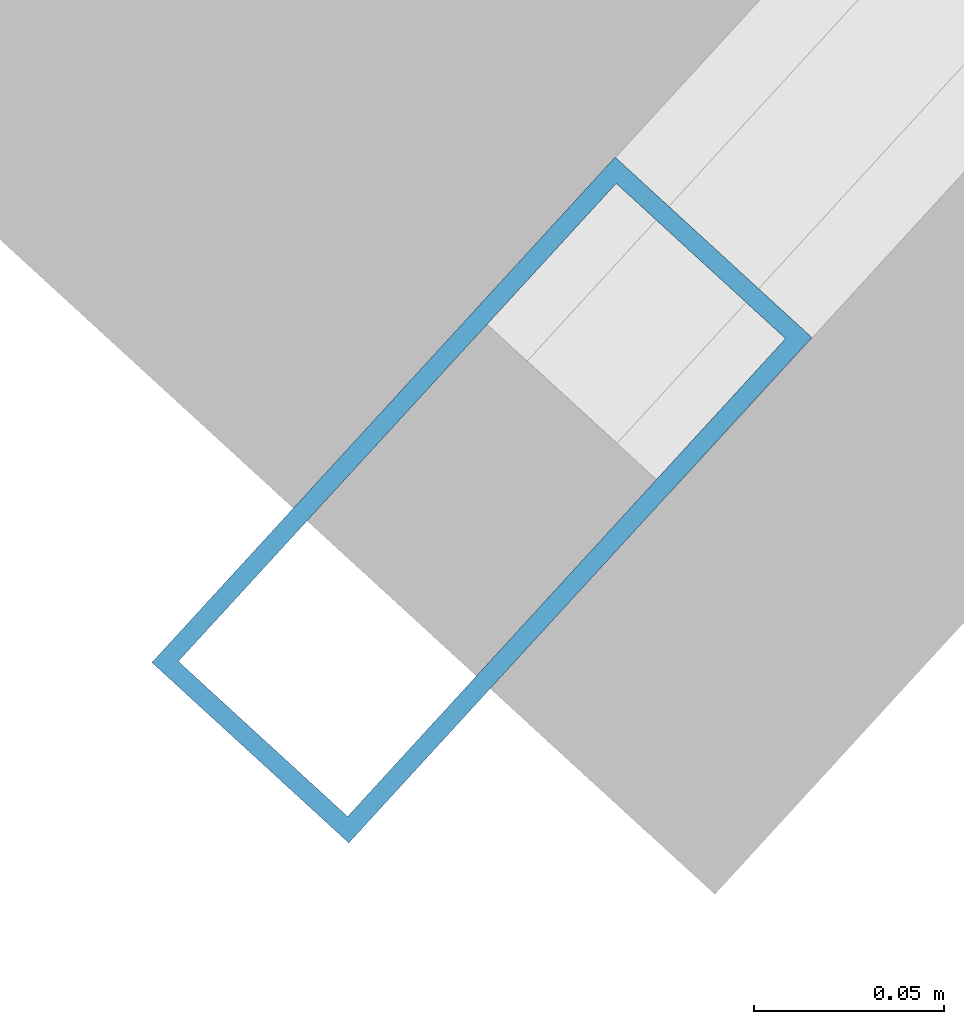
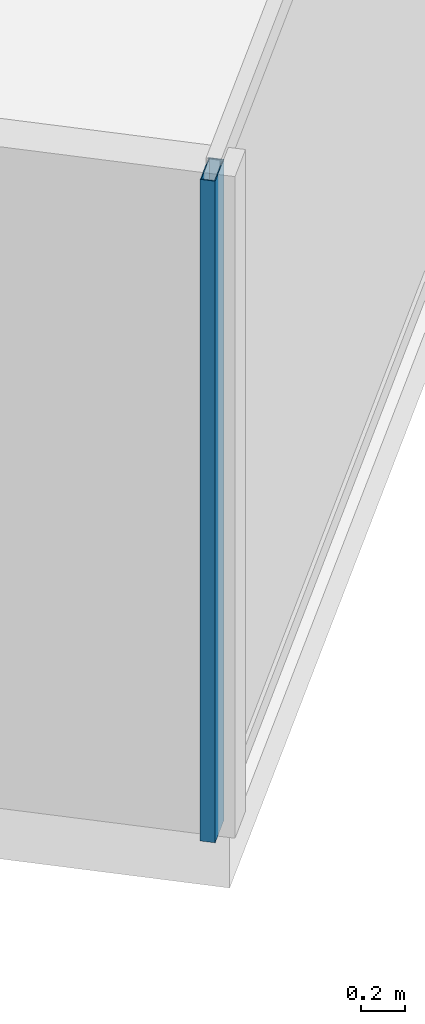
# One storey, part 4 of 26: 1 member, 1 element without a shape of its own.
"""IFC4 building model written with IfcOpenShell, lengths in metres."""

from ifc_helpers import new_model, si_unit, direction, frame, origin, origin_2d, place, context, subcontext, project, spatial, hollow_rectangle, extrude, source, transform, mapped, material, material_profile, profile_set, type_object, type_shapes, element, aggregate, save


model = new_model("IFC4")

# Units and contexts
model_context = context("Model", 3, precision=1e-05, world=origin(), true_north=direction((0.0, 1.0)))
body_context = subcontext(model_context, "Body", "Model", "MODEL_VIEW")
ifc_project = project(units=[si_unit("LENGTHUNIT", "METRE"), si_unit("AREAUNIT", "SQUARE_METRE"), si_unit("VOLUMEUNIT", "CUBIC_METRE"), si_unit("PLANEANGLEUNIT", "RADIAN"), si_unit("MASSUNIT", "GRAM", prefix="KILO")], contexts=[model_context])

# Site, building, storey
site_placement = place(None, origin())
site = spatial("IfcSite", under=ifc_project, at=site_placement, CompositionType="ELEMENT")
building_placement = place(site_placement, origin())
building = spatial("IfcBuilding", under=site, at=building_placement, Name="Krantzveldt Concourse Tower", CompositionType="ELEMENT")
storey_placement = place(building_placement, frame((0.0, 0.0, 219.14990234375)))
storey = spatial("IfcBuildingStorey", under=building, at=storey_placement, Name="L53", CompositionType="ELEMENT", Elevation=219.14990234375)

# Curtain wall, member
ifc_material = material(Name="Anodised aluminium 6063-T6", Category="aluminium")
curtain_wall_type = type_object("IfcCurtainWallType", Name="CW3", PredefinedType="USERDEFINED", material=ifc_material)
curtain_wall_placement = place(storey_placement, origin())
curtain_wall = element("IfcCurtainWall", 1, at=curtain_wall_placement, inside=storey, type_object=curtain_wall_type, Name="CW-L53-F07", ObjectType="UNITISED CURTAIN WALL", PredefinedType="USERDEFINED")
ifc_material_profile = material_profile(ifc_material, hollow_rectangle(XDim=0.070068359375, YDim=0.179931640625, WallThickness=0.0048828125, at=origin_2d()), Name="Anodised aluminium 6063-T6", Category="aluminium")
ifc_profile_set = profile_set([ifc_material_profile], Name="Anodised aluminium 6063-T6 - ALU-MULL 180x70x5")
member_type = type_object("IfcMemberType", Name="CW-MUL-180", PredefinedType="MULLION", material=ifc_profile_set)
shared_shape = source(origin(), body_context, "Body", "SweptSolid", [
    extrude(hollow_rectangle(XDim=0.070068359375, YDim=0.179931640625, WallThickness=0.0048828125, at=origin_2d()), origin(), (0.0, 0.0, 1.0), 3.670166015625),
])
type_shapes(member_type, [shared_shape])
member_placement = place(storey_placement, frame((40.599853515625, 1.50927734375, 0.0), z_axis=(0.0, 0.0, 1.0), x_axis=(-0.737277769208, 0.675589735736, 0.0)))
member = element("IfcMember", 2, at=member_placement, type_object=member_type, Name="CW-Z34 mullion 1", PredefinedType="MULLION", context=body_context, shape_type="MappedRepresentation", body=[
    mapped(shared_shape, transform((0.0, 0.0, 0.0), x_axis=(1.0, 0.0, 0.0), y_axis=(0.0, 1.0, 0.0), z_axis=(0.0, 0.0, 1.0), scale=1.0)),
])
aggregate(curtain_wall, [member])

save(model, "model.ifc")
